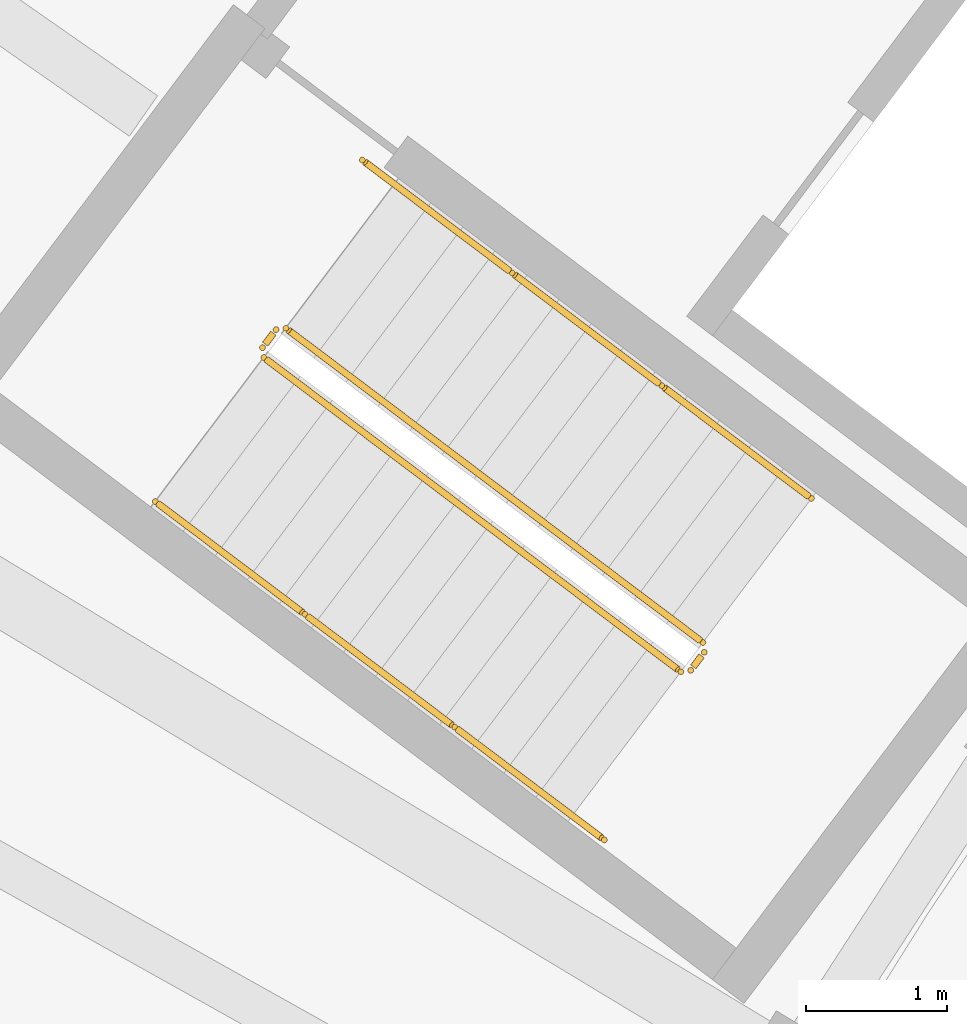
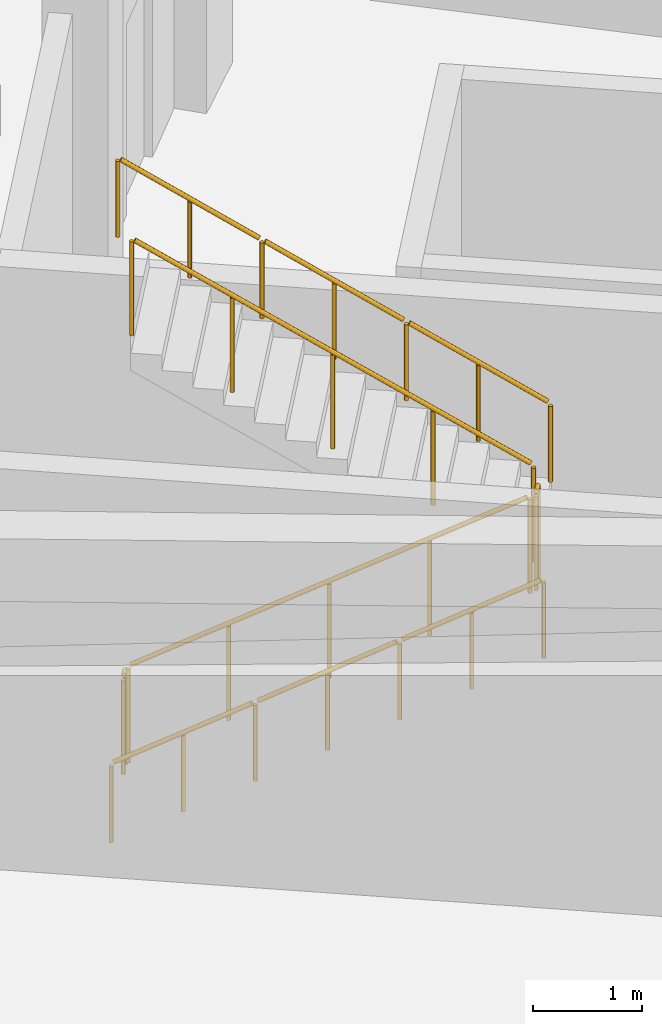
# One storey, part 121 of 132: 10 railings.
"""IFC4 building model written with IfcOpenShell, lengths in metres."""

import ifcopenshell
import ifcopenshell.guid

model = None  # the IFC model being written
_history = None  # IfcOwnerHistory: only IFC2X3 demands one
_inside = {}  # id of a spatial element -> (the spatial element, [elements in it])
_under = {}  # id of a project, library or spatial element -> (it, [spatial elements below it])
_declared = {}  # id of a project -> (the project, [libraries it declares])
_typed = {}  # id of a type object -> (the type object, [elements of that type])
_made_of = {}  # id of a material, layer set ... -> (it, [elements and type objects made of it])


def new_model(schema):
    """Start an empty IFC model of exactly this schema.

    Asked for "IFC4X3", IfcOpenShell would pick the latest addendum, in which some entities
    have other attributes; the version numbers below select the first issue.
    IFC2X3 requires an IfcOwnerHistory on every rooted entity: one is made here for all.
    """
    global model, _history
    if schema == "IFC4X3":
        model = ifcopenshell.file(schema_version=(4, 3, 0, 0))
    else:
        model = ifcopenshell.file(schema=schema)
    _inside.clear()
    _under.clear()
    _declared.clear()
    _typed.clear()
    _made_of.clear()
    _history = None
    if model.schema == "IFC2X3":
        org = make("IfcOrganization", Name="unknown")
        user = make(
            "IfcPersonAndOrganization",
            ThePerson=make("IfcPerson", FamilyName="unknown"),
            TheOrganization=org,
        )
        app = make(
            "IfcApplication",
            ApplicationDeveloper=org,
            Version="unknown",
            ApplicationFullName="unknown",
            ApplicationIdentifier="unknown",
        )
        _history = make(
            "IfcOwnerHistory",
            OwningUser=user,
            OwningApplication=app,
            ChangeAction="ADDED",
            CreationDate=0,
        )
    return model


def make(cls, **values):
    """One entity of the class cls with the attributes given. An attribute that is None is left unset."""
    return model.create_entity(
        cls, **{name: value for name, value in values.items() if value is not None}
    )


def rooted(cls, **values):
    """An entity with a GlobalId (a new one), such as an element, a storey or a relation."""
    return make(cls, GlobalId=ifcopenshell.guid.new(), OwnerHistory=_history, **values)


def si_unit(unit_type, name, prefix=None):
    """IfcSIUnit, for example si_unit("LENGTHUNIT", "METRE", prefix="MILLI")."""
    return make("IfcSIUnit", UnitType=unit_type, Prefix=prefix, Name=name)


def assignment(units):
    """IfcUnitAssignment: the units of a project."""
    return None if units is None else make("IfcUnitAssignment", Units=units)


def point(xyz):
    """IfcCartesianPoint."""
    return None if xyz is None else make("IfcCartesianPoint", Coordinates=xyz)


def direction(xyz):
    """IfcDirection."""
    return None if xyz is None else make("IfcDirection", DirectionRatios=xyz)


def frame(location, z_axis=None, x_axis=None):
    """IfcAxis2Placement3D, a coordinate frame: its origin and axes. An axis left out is left unset."""
    return make(
        "IfcAxis2Placement3D",
        Location=point(location),
        Axis=direction(z_axis),
        RefDirection=direction(x_axis),
    )


def frame_2d(location, x_axis=None):
    """IfcAxis2Placement2D, a coordinate frame in the plane: its origin and x axis."""
    return make(
        "IfcAxis2Placement2D", Location=point(location), RefDirection=direction(x_axis)
    )


def origin():
    """The frame at (0, 0, 0) with its axes left unset."""
    return frame((0.0, 0.0, 0.0))


def origin_2d():
    """The frame at (0, 0) in the plane with its x axis left unset."""
    return frame_2d((0.0, 0.0))


def place(relative_to, where):
    """IfcLocalPlacement: puts the frame where relative to a parent placement (None: the world)."""
    return make(
        "IfcLocalPlacement", PlacementRelTo=relative_to, RelativePlacement=where
    )


def context(
    kind, dimensions, precision=None, world=None, true_north=None, identifier=None
):
    """IfcGeometricRepresentationContext, for example the 3D "Model" context."""
    return make(
        "IfcGeometricRepresentationContext",
        ContextIdentifier=identifier,
        ContextType=kind,
        CoordinateSpaceDimension=dimensions,
        Precision=precision,
        WorldCoordinateSystem=world,
        TrueNorth=true_north,
    )


def subcontext(parent, identifier, kind, view, scale=None):
    """IfcGeometricRepresentationSubContext, for example "Body" below "Model"."""
    return make(
        "IfcGeometricRepresentationSubContext",
        ContextIdentifier=identifier,
        ContextType=kind,
        ParentContext=parent,
        TargetScale=scale,
        TargetView=view,
    )


def project(units=None, contexts=None):
    """IfcProject with its units and contexts."""
    return rooted(
        "IfcProject",
        Name="project",
        RepresentationContexts=contexts,
        UnitsInContext=assignment(units),
    )


def spatial(cls, under=None, at=None, **own):
    """A site, building, storey or space (cls), placed at a placement, below another one or the project."""
    s = rooted(cls, ObjectPlacement=at, **own)
    if under is not None:
        _under.setdefault(under.id(), (under, []))[1].append(s)
    return s


def profile(cls, at=None, kind="AREA", **sizes):
    """A parametric profile (cls). Its sizes go by their IFC names, for example OverallWidth=200.0."""
    return make(cls, ProfileType=kind, Position=at, **sizes)


def circle(**sizes):
    """IfcCircleProfileDef."""
    return profile("IfcCircleProfileDef", **sizes)


def extrude(swept, where, along, depth):
    """IfcExtrudedAreaSolid: the profile swept, set in the frame where, extruded along a direction by depth."""
    return make(
        "IfcExtrudedAreaSolid",
        SweptArea=swept,
        Position=where,
        ExtrudedDirection=direction(along),
        Depth=depth,
    )


def shape(context_of_items, identifier, shape_type, items):
    """IfcShapeRepresentation: the items that make up one representation, for example the "Body"."""
    return make(
        "IfcShapeRepresentation",
        ContextOfItems=context_of_items,
        RepresentationIdentifier=identifier,
        RepresentationType=shape_type,
        Items=items,
    )


def material(Name=None, Category=None):
    """IfcMaterial."""
    return make("IfcMaterial", Name=Name, Category=Category)


def made_of(thing, what):
    """Note that an element or type object is made of a material, layer set ...; save() writes the relation."""
    if what is not None:
        _made_of.setdefault(what.id(), (what, []))[1].append(thing)
    return thing


def type_object(cls, material=None, **own):
    """A type object (cls), such as IfcWallType, which elements share."""
    return made_of(rooted(cls, **own), material)


def element(
    cls,
    number,
    at=None,
    inside=None,
    cuts=None,
    type_object=None,
    material=None,
    context=None,
    identifier="Body",
    shape_type=None,
    held_by="IfcProductDefinitionShape",
    body=None,
    shapes=None,
    **own,
):
    """One element of the class cls, such as IfcWall. Its Tag is "e" and its number.

    at: its placement. inside: the storey or other place that contains it. cuts: it is an
    opening in that element (IfcRelVoidsElement). A single representation is given by context,
    identifier, shape_type and body (its items); several are given by shapes. held_by: the class
    of the entity that holds the representations. save() writes the other relations.
    """
    e = rooted(cls, Tag="e%d" % number, ObjectPlacement=at, **own)
    if body is not None:
        shapes = [shape(context, identifier, shape_type, body)]
    if shapes is not None:
        e.Representation = make(held_by, Representations=shapes)
    if inside is not None:
        _inside.setdefault(inside.id(), (inside, []))[1].append(e)
    if cuts is not None:
        rooted(
            "IfcRelVoidsElement", RelatingBuildingElement=cuts, RelatedOpeningElement=e
        )
    if type_object is not None:
        _typed.setdefault(type_object.id(), (type_object, []))[1].append(e)
    return made_of(e, material)


def aggregate(whole, parts):
    """IfcRelAggregates: a whole, such as a stair, and the parts it consists of."""
    return rooted("IfcRelAggregates", RelatingObject=whole, RelatedObjects=parts)


def save(model, path):
    """Write the relations noted so far, then the file.

    IfcRelAggregates (storeys below a building ...), IfcRelContainedInSpatialStructure (elements
    in a storey), IfcRelDefinesByType, IfcRelAssociatesMaterial and IfcRelDeclares: one each for
    every whole, place, type object, material and project.
    """
    for whole, parts in _under.values():
        aggregate(whole, parts)
    for where, things in _inside.values():
        rooted(
            "IfcRelContainedInSpatialStructure",
            RelatedElements=things,
            RelatingStructure=where,
        )
    for kind, things in _typed.values():
        rooted("IfcRelDefinesByType", RelatedObjects=things, RelatingType=kind)
    for what, things in _made_of.values():
        rooted("IfcRelAssociatesMaterial", RelatedObjects=things, RelatingMaterial=what)
    for by, libraries in _declared.values():
        rooted("IfcRelDeclares", RelatingContext=by, RelatedDefinitions=libraries)
    model.write(path)


model = new_model("IFC4")

# Units and contexts
model_context = context("Model", 3, precision=1e-05, world=origin(), true_north=direction((0.0, 1.0)))
body_context = subcontext(model_context, "Body", "Model", "MODEL_VIEW")
ifc_project = project(units=[si_unit("LENGTHUNIT", "METRE"), si_unit("AREAUNIT", "SQUARE_METRE"), si_unit("VOLUMEUNIT", "CUBIC_METRE"), si_unit("PLANEANGLEUNIT", "RADIAN"), si_unit("MASSUNIT", "GRAM", prefix="KILO")], contexts=[model_context])

# Site, building, storey
site_placement = place(None, origin())
site = spatial("IfcSite", under=ifc_project, at=site_placement, CompositionType="ELEMENT")
building_placement = place(site_placement, origin())
building = spatial("IfcBuilding", under=site, at=building_placement, Name="Tanwirah Colonnade Gardens", CompositionType="ELEMENT")
storey_placement = place(building_placement, origin())
storey = spatial("IfcBuildingStorey", under=building, at=storey_placement, Name="L00", CompositionType="ELEMENT", Elevation=0.0)

# Railings
ifc_material_1 = material(Name="Powder-coated galvanized steel", Category="steel")
railing_type_1 = type_object("IfcRailingType", Name="GRD-ST110", PredefinedType="GUARDRAIL", material=ifc_material_1)
railing_1_placement = place(storey_placement, frame((23.201416015625, 88.22900390625, 0.169921875)))
element("IfcRailing", 1, at=railing_1_placement, inside=storey, type_object=railing_type_1, Name="L00 ST-A2 stair guard 1", PredefinedType="GUARDRAIL", context=body_context, shape_type="SweptSolid", body=[
    extrude(circle(Radius=0.02392578125, at=origin_2d()), frame((0.021484375, -0.01611328125, 1.092041015625), z_axis=(0.685890862882, -0.516851588341, 0.512267664258), x_axis=(0.601811867338, 0.798637888114, 0.0)), (0.0, 0.0, 1.0), 4.25146484375),
    extrude(circle(Radius=0.02099609375, at=origin_2d()), origin(), (0.0, 0.0, 1.0), 1.049072265625),
    extrude(circle(Radius=0.02099609375, at=origin_2d()), frame((0.73974609375, -0.557373046875, 0.552490234375)), (0.0, 0.0, 1.0), 1.049072265625),
    extrude(circle(Radius=0.02099609375, at=origin_2d()), frame((1.4794921875, -1.11474609375, 1.10498046875)), (0.0, 0.0, 1.0), 1.049072265625),
    extrude(circle(Radius=0.02099609375, at=origin_2d()), frame((2.21923828125, -1.67236328125, 1.657470703125)), (0.0, 0.0, 1.0), 1.049072265625),
    extrude(circle(Radius=0.02099609375, at=origin_2d()), frame((2.958984375, -2.229736328125, 2.2099609375)), (0.0, 0.0, 1.0), 1.049072265625),
])
railing_2_placement = place(storey_placement, frame((26.23046875, 86.009033203125, 2.3798828125)))
element("IfcRailing", 2, at=railing_2_placement, inside=storey, type_object=railing_type_1, Name="L00 ST-A2 stair guard 2", PredefinedType="GUARDRAIL", context=body_context, shape_type="SweptSolid", body=[
    extrude(circle(Radius=0.02392578125, at=origin_2d()), frame((0.018798828125, 0.02490234375, 1.076171875), z_axis=(0.601948835455, 0.798534657667, 0.0), x_axis=(-0.798534657667, 0.601948835455, 0.0)), (0.0, 0.0, 1.0), 0.09765625),
    extrude(circle(Radius=0.02099609375, at=origin_2d()), origin(), (0.0, 0.0, 1.0), 1.049072265625),
    extrude(circle(Radius=0.02099609375, at=origin_2d()), frame((0.096435546875, 0.1279296875, 0.0)), (0.0, 0.0, 1.0), 1.049072265625),
])
railing_3_placement = place(storey_placement, frame((26.31689453125, 86.206787109375, 2.550048828125)))
element("IfcRailing", 3, at=railing_3_placement, inside=storey, type_object=railing_type_1, Name="L00 ST-A2 stair guard 3", PredefinedType="GUARDRAIL", context=body_context, shape_type="SweptSolid", body=[
    extrude(circle(Radius=0.02392578125, at=origin_2d()), frame((-0.021484375, 0.01611328125, 1.092041015625), z_axis=(-0.685890862882, 0.516851588341, 0.512267664258), x_axis=(-0.601811867338, -0.798637888114, 0.0)), (0.0, 0.0, 1.0), 4.25146484375),
    extrude(circle(Radius=0.02099609375, at=origin_2d()), origin(), (0.0, 0.0, 1.0), 1.049072265625),
    extrude(circle(Radius=0.02099609375, at=origin_2d()), frame((-0.73974609375, 0.557373046875, 0.552490234375)), (0.0, 0.0, 1.0), 1.049072265625),
    extrude(circle(Radius=0.02099609375, at=origin_2d()), frame((-1.4794921875, 1.11474609375, 1.10498046875)), (0.0, 0.0, 1.0), 1.049072265625),
    extrude(circle(Radius=0.02099609375, at=origin_2d()), frame((-2.21923828125, 1.67236328125, 1.657470703125)), (0.0, 0.0, 1.0), 1.049072265625),
    extrude(circle(Radius=0.02099609375, at=origin_2d()), frame((-2.958984375, 2.229736328125, 2.2099609375)), (0.0, 0.0, 1.0), 1.049072265625),
])
railing_4_placement = place(storey_placement, frame((23.191650390625, 88.299072265625, 0.0)))
element("IfcRailing", 4, at=railing_4_placement, inside=storey, type_object=railing_type_1, Name="L00 ST-A2 stair guard 4", PredefinedType="GUARDRAIL", context=body_context, shape_type="SweptSolid", body=[
    extrude(circle(Radius=0.02392578125, at=origin_2d()), frame((0.018798828125, 0.02490234375, 1.076171875), z_axis=(0.602681987584, 0.797981467104, 0.0), x_axis=(-0.797981467104, 0.602681987584, 0.0)), (0.0, 0.0, 1.0), 0.097412109375),
    extrude(circle(Radius=0.02099609375, at=origin_2d()), origin(), (0.0, 0.0, 1.0), 1.049072265625),
    extrude(circle(Radius=0.02099609375, at=origin_2d()), frame((0.096435546875, 0.127685546875, 0.0)), (0.0, 0.0, 1.0), 1.049072265625),
])
ifc_material_2 = material(Name="Brushed bronze stainless steel", Category="steel")
railing_type_2 = type_object("IfcRailingType", Name="HR-ST090", PredefinedType="HANDRAIL", material=ifc_material_2)
railing_5_placement = place(storey_placement, frame((22.43115234375, 87.206787109375, 0.169921875)))
element("IfcRailing", 5, at=railing_5_placement, inside=storey, type_object=railing_type_2, Name="L00 ST-A2 stair handrail 1", PredefinedType="HANDRAIL", context=body_context, shape_type="SweptSolid", body=[
    extrude(circle(Radius=0.02392578125, at=origin_2d()), frame((0.021484375, -0.01611328125, 0.891845703125), z_axis=(0.684521379544, -0.515868904511, 0.515082279161), x_axis=(0.601848542841, 0.798610250047, 0.0)), (0.0, 0.0, 1.0), 1.4892578125),
    extrude(circle(Radius=0.02099609375, at=origin_2d()), origin(), (0.0, 0.0, 1.0), 0.848876953125),
    extrude(circle(Radius=0.02099609375, at=origin_2d()), frame((0.53125, -0.400390625, 0.399658203125)), (0.0, 0.0, 1.0), 0.848876953125),
    extrude(circle(Radius=0.02099609375, at=origin_2d()), frame((1.062255859375, -0.800537109375, 0.79931640625)), (0.0, 0.0, 1.0), 0.848876953125),
])
railing_6_placement = place(storey_placement, frame((23.493408203125, 86.40625, 0.96923828125)))
element("IfcRailing", 6, at=railing_6_placement, inside=storey, type_object=railing_type_2, Name="L00 ST-A2 stair handrail 2", PredefinedType="HANDRAIL", context=body_context, shape_type="SweptSolid", body=[
    extrude(circle(Radius=0.02392578125, at=origin_2d()), frame((0.021484375, -0.01611328125, 0.891845703125), z_axis=(0.684576932982, -0.515753432847, 0.515124081495), x_axis=(0.601731461546, 0.798698471381, 0.0)), (0.0, 0.0, 1.0), 1.4892578125),
    extrude(circle(Radius=0.02099609375, at=origin_2d()), origin(), (0.0, 0.0, 1.0), 0.848876953125),
    extrude(circle(Radius=0.02099609375, at=origin_2d()), frame((0.53125, -0.400146484375, 0.399658203125)), (0.0, 0.0, 1.0), 0.848876953125),
    extrude(circle(Radius=0.02099609375, at=origin_2d()), frame((1.062255859375, -0.80029296875, 0.79931640625)), (0.0, 0.0, 1.0), 0.848876953125),
])
railing_7_placement = place(storey_placement, frame((24.5556640625, 85.60595703125, 1.7685546875)))
element("IfcRailing", 7, at=railing_7_placement, inside=storey, type_object=railing_type_2, Name="L00 ST-A2 stair handrail 3", PredefinedType="HANDRAIL", context=body_context, shape_type="SweptSolid", body=[
    extrude(circle(Radius=0.02392578125, at=origin_2d()), frame((0.021484375, -0.01611328125, 0.891845703125), z_axis=(0.684382281369, -0.515882643818, 0.515253326778), x_axis=(0.601936772271, 0.798543750954, 0.0)), (0.0, 0.0, 1.0), 1.4892578125),
    extrude(circle(Radius=0.02099609375, at=origin_2d()), origin(), (0.0, 0.0, 1.0), 0.848876953125),
    extrude(circle(Radius=0.02099609375, at=origin_2d()), frame((0.531005859375, -0.400390625, 0.39990234375)), (0.0, 0.0, 1.0), 0.848876953125),
    extrude(circle(Radius=0.02099609375, at=origin_2d()), frame((1.06201171875, -0.800537109375, 0.799560546875)), (0.0, 0.0, 1.0), 0.848876953125),
])
railing_8_placement = place(storey_placement, frame((27.087158203125, 87.229248046875, 2.550048828125)))
element("IfcRailing", 8, at=railing_8_placement, inside=storey, type_object=railing_type_2, Name="L00 ST-A2 stair handrail 4", PredefinedType="HANDRAIL", context=body_context, shape_type="SweptSolid", body=[
    extrude(circle(Radius=0.02392578125, at=origin_2d()), frame((-0.021484375, 0.01611328125, 0.891845703125), z_axis=(-0.684493317317, 0.515808987165, 0.515179568022), x_axis=(-0.601819693306, -0.798631990812, 0.0)), (0.0, 0.0, 1.0), 1.489013671875),
    extrude(circle(Radius=0.02099609375, at=origin_2d()), origin(), (0.0, 0.0, 1.0), 0.848876953125),
    extrude(circle(Radius=0.02099609375, at=origin_2d()), frame((-0.531005859375, 0.400146484375, 0.399658203125)), (0.0, 0.0, 1.0), 0.848876953125),
    extrude(circle(Radius=0.02099609375, at=origin_2d()), frame((-1.06201171875, 0.80029296875, 0.79931640625)), (0.0, 0.0, 1.0), 0.848876953125),
])
railing_9_placement = place(storey_placement, frame((26.025146484375, 88.029541015625, 3.349365234375)))
element("IfcRailing", 9, at=railing_9_placement, inside=storey, type_object=railing_type_2, Name="L00 ST-A2 stair handrail 5", PredefinedType="HANDRAIL", context=body_context, shape_type="SweptSolid", body=[
    extrude(circle(Radius=0.02392578125, at=origin_2d()), frame((-0.021484375, 0.01611328125, 0.891845703125), z_axis=(-0.684521379544, 0.515868904511, 0.515082279161), x_axis=(-0.601848542841, -0.798610250047, 0.0)), (0.0, 0.0, 1.0), 1.4892578125),
    extrude(circle(Radius=0.02099609375, at=origin_2d()), origin(), (0.0, 0.0, 1.0), 0.848876953125),
    extrude(circle(Radius=0.02099609375, at=origin_2d()), frame((-0.53125, 0.400390625, 0.399658203125)), (0.0, 0.0, 1.0), 0.848876953125),
    extrude(circle(Radius=0.02099609375, at=origin_2d()), frame((-1.062255859375, 0.800537109375, 0.79931640625)), (0.0, 0.0, 1.0), 0.848876953125),
])
railing_10_placement = place(storey_placement, frame((24.962890625, 88.830078125, 4.148681640625)))
element("IfcRailing", 10, at=railing_10_placement, inside=storey, type_object=railing_type_2, Name="L00 ST-A2 stair handrail 6", PredefinedType="HANDRAIL", context=body_context, shape_type="SweptSolid", body=[
    extrude(circle(Radius=0.02392578125, at=origin_2d()), frame((-0.021484375, 0.01611328125, 0.891845703125), z_axis=(-0.684576932982, 0.515753432847, 0.515124081495), x_axis=(-0.601731461546, -0.798698471381, 0.0)), (0.0, 0.0, 1.0), 1.4892578125),
    extrude(circle(Radius=0.02099609375, at=origin_2d()), origin(), (0.0, 0.0, 1.0), 0.848876953125),
    extrude(circle(Radius=0.02099609375, at=origin_2d()), frame((-0.53125, 0.400146484375, 0.399658203125)), (0.0, 0.0, 1.0), 0.848876953125),
    extrude(circle(Radius=0.02099609375, at=origin_2d()), frame((-1.062255859375, 0.80029296875, 0.79931640625)), (0.0, 0.0, 1.0), 0.848876953125),
])

save(model, "model.ifc")
